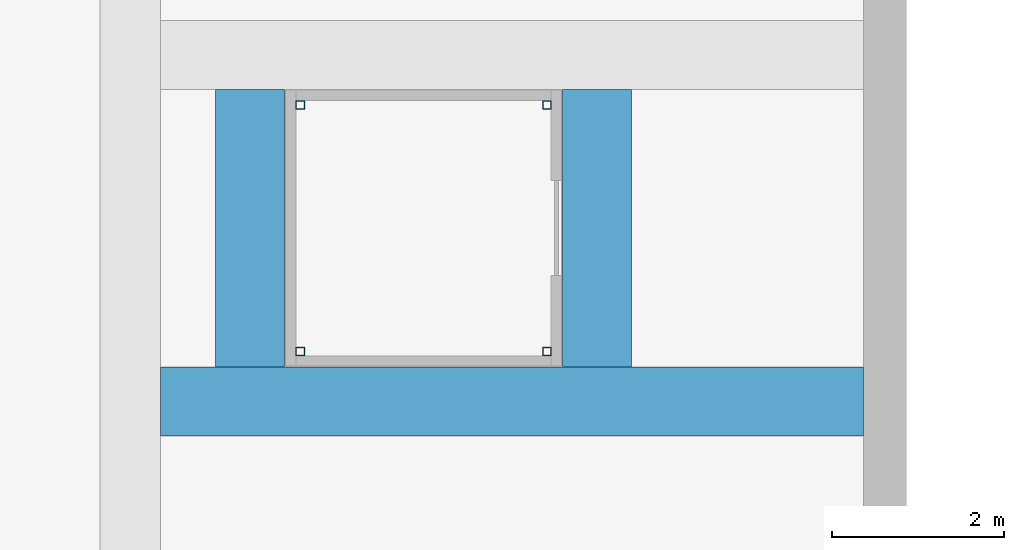
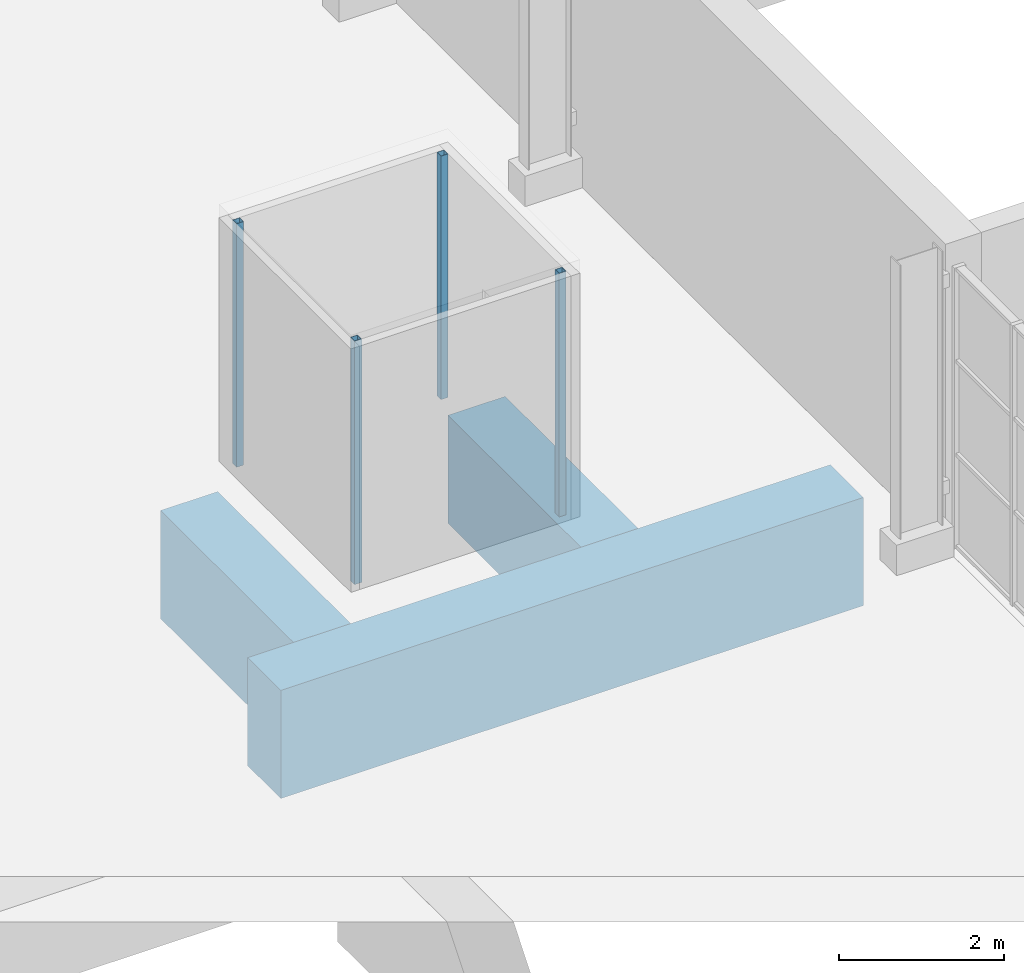
# One storey, part 52 of 168: 4 members, 3 beams.
"""IFC4 building model written with IfcOpenShell, lengths in metres."""

from ifc_helpers import new_model, si_unit, direction, frame, origin, origin_2d, place, context, subcontext, project, spatial, rectangle, hollow_rectangle, extrude, material, material_profile, profile_set, type_object, element, save


model = new_model("IFC4")

# Units and contexts
model_context = context("Model", 3, precision=1e-05, world=origin(), true_north=direction((0.0, 1.0)))
body_context = subcontext(model_context, "Body", "Model", "MODEL_VIEW")
ifc_project = project(units=[si_unit("LENGTHUNIT", "METRE"), si_unit("AREAUNIT", "SQUARE_METRE"), si_unit("VOLUMEUNIT", "CUBIC_METRE"), si_unit("PLANEANGLEUNIT", "RADIAN"), si_unit("MASSUNIT", "GRAM", prefix="KILO")], contexts=[model_context])

# Site, building, storey
site_placement = place(None, origin())
site = spatial("IfcSite", under=ifc_project, at=site_placement, CompositionType="ELEMENT")
building_placement = place(site_placement, origin())
building = spatial("IfcBuilding", under=site, at=building_placement, Name="Silverbay Arena", CompositionType="ELEMENT")
storey_placement = place(building_placement, frame((0.0, 0.0, 7.0)))
storey = spatial("IfcBuildingStorey", under=building, at=storey_placement, Name="L01", CompositionType="ELEMENT", Elevation=7.0)

# Members
ifc_material_1 = material(Name="Steel S355", Category="steel")
ifc_material_profile_1 = material_profile(ifc_material_1, hollow_rectangle(XDim=0.10009765625, YDim=0.10009765625, WallThickness=0.006103515625, at=origin_2d()), Name="RHS 100x100x6")
ifc_profile_set_1 = profile_set([ifc_material_profile_1], Name="Steel S355")
member_type = type_object("IfcMemberType", Name="Glazing post RHS 100 x 100 x 6", PredefinedType="POST", material=ifc_profile_set_1)
for number, where, z_axis, x_axis, name in (
    (1, (19.969970703125, 128.969970703125, 0.0), (0.0, 0.0, 1.0), (1.0, 0.0, 0.0), "Glazing post LB-D2 1 L01"),
    (2, (22.830078125, 128.969970703125, 0.0), (0.0, 0.0, 1.0), (1.0, 0.0, 0.0), "Glazing post LB-D2 2 L01"),
    (3, (22.830078125, 131.830078125, 0.0), (0.0, 0.0, 1.0), (1.0, 0.0, 0.0), "Glazing post LB-D2 3 L01"),
    (4, (19.969970703125, 131.830078125, 0.0), (0.0, 0.0, 1.0), (1.0, 0.0, 0.0), "Glazing post LB-D2 4 L01"),
):
    element("IfcMember", number, at=place(storey_placement, frame(where, z_axis=z_axis, x_axis=x_axis)), inside=storey, type_object=member_type, Name=name, PredefinedType="POST", context=body_context, shape_type="SweptSolid", body=[
        extrude(hollow_rectangle(XDim=0.10009765625, YDim=0.10009765625, WallThickness=0.006103515625, at=origin_2d()), origin(), (0.0, 0.0, 1.0), 3.60009765625),
    ])

# Beams
ifc_material_2 = material(Name="Concrete Grade C45", Category="concrete")
ifc_material_profile_2 = material_profile(ifc_material_2, rectangle(XDim=0.800048828125, YDim=1.60009765625, at=origin_2d()), Name="RC 800x1600")
ifc_profile_set_2 = profile_set([ifc_material_profile_2], Name="Concrete Grade C45")
beam_type = type_object("IfcBeamType", Name="RC trimmer beam 800x1600", PredefinedType="BEAM", material=ifc_profile_set_2)
beam_placement = place(storey_placement, frame((18.35009765625, 128.389892578125, -1.25), z_axis=(1.0, 0.0, 0.0), x_axis=(0.0, 1.0, 0.0)))
element("IfcBeam", 5, at=beam_placement, inside=storey, type_object=beam_type, Name="Deck trimmer 063", PredefinedType="BEAM", context=body_context, shape_type="SweptSolid", body=[
    extrude(rectangle(XDim=0.800048828125, YDim=1.60009765625, at=origin_2d()), origin(), (0.0, 0.0, 1.0), 8.14990234375),
])
for number, where, z_axis, x_axis, name in (
    (6, (19.389892578125, 128.7900390625, -1.25), (0.0, 1.0, 0.0), (-1.0, 0.0, 0.0), "Deck head trimmer 065"),
    (7, (23.409912109375, 128.7900390625, -1.25), (0.0, 1.0, 0.0), (-1.0, 0.0, 0.0), "Deck head trimmer 066"),
):
    element("IfcBeam", number, at=place(storey_placement, frame(where, z_axis=z_axis, x_axis=x_axis)), inside=storey, type_object=beam_type, Name=name, PredefinedType="BEAM", context=body_context, shape_type="SweptSolid", body=[
        extrude(rectangle(XDim=0.800048828125, YDim=1.60009765625, at=origin_2d()), origin(), (0.0, 0.0, 1.0), 3.219970703125),
    ])

save(model, "model.ifc")
